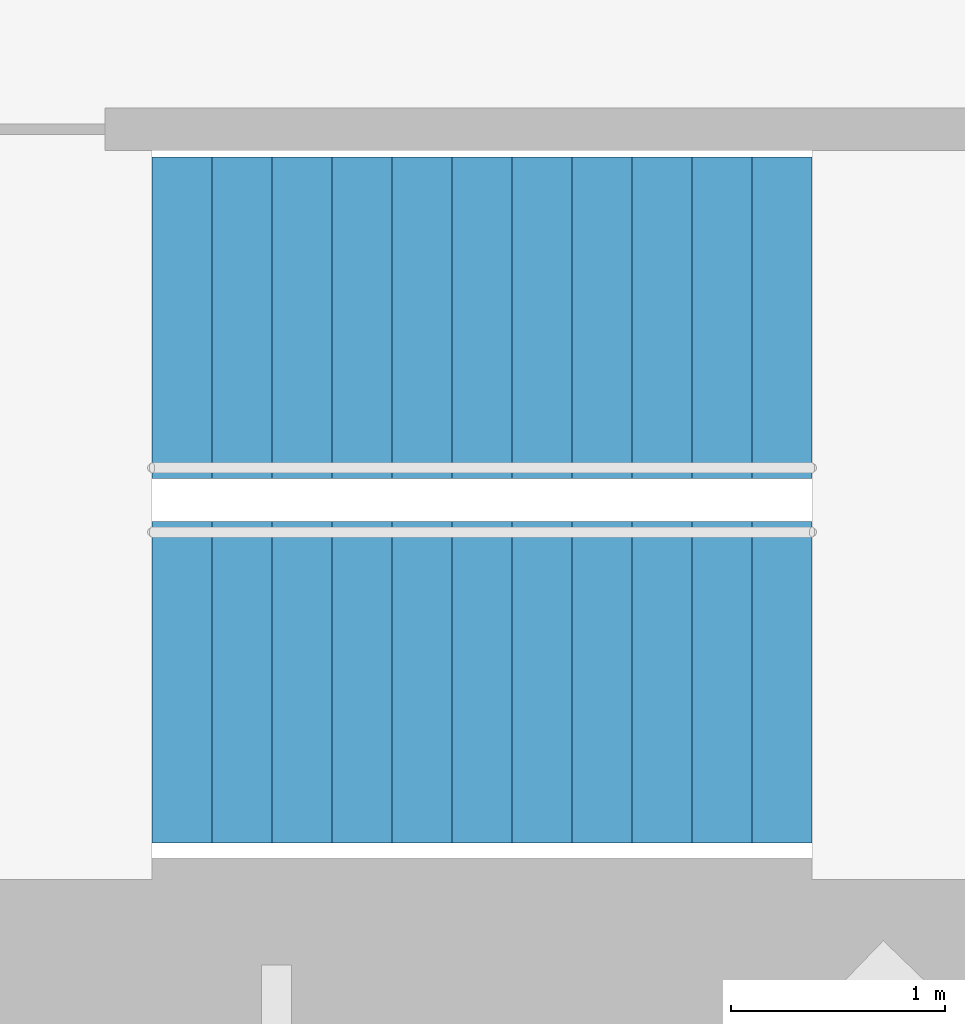
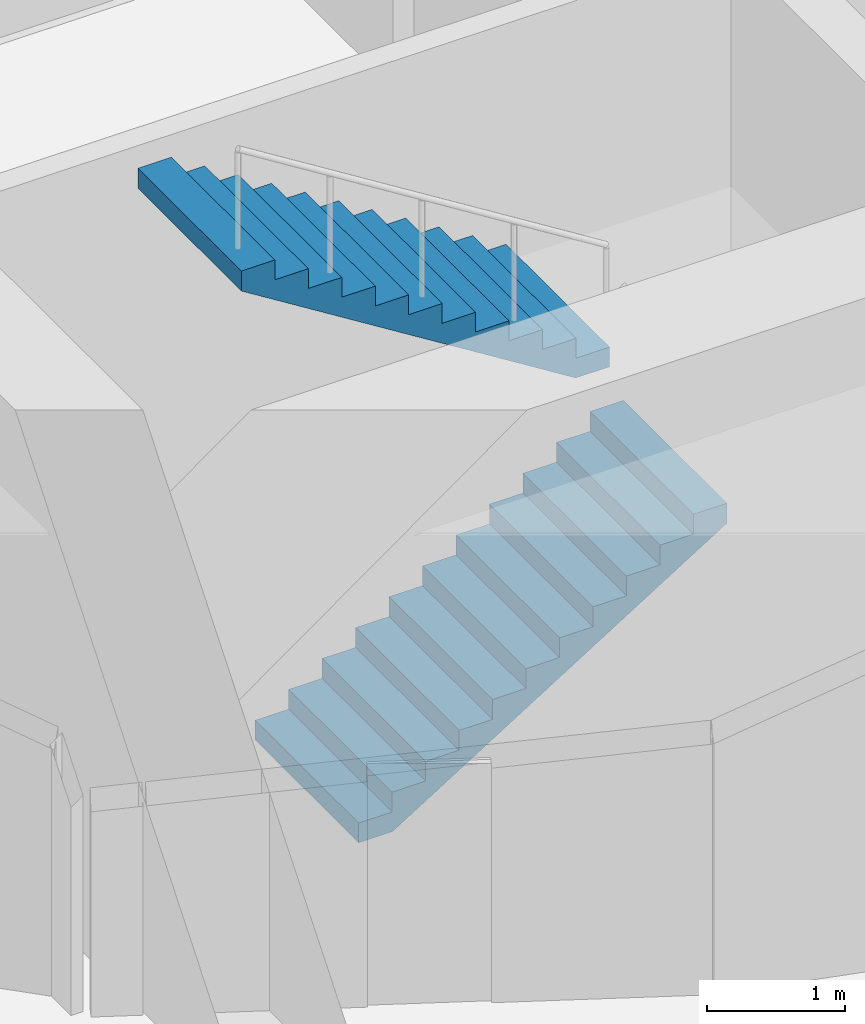
# One storey, part 17 of 19: 2 stair flights, 1 element without a shape of its own.
"""IFC4 building model written with IfcOpenShell, lengths in metres."""

from ifc_helpers import new_model, si_unit, direction, frame, origin, place, context, subcontext, project, spatial, triangles, material, type_object, element, aggregate, save


model = new_model("IFC4")

# Units and contexts
model_context = context("Model", 3, precision=1e-05, world=origin(), true_north=direction((0.0, 1.0)))
body_context = subcontext(model_context, "Body", "Model", "MODEL_VIEW")
ifc_project = project(units=[si_unit("LENGTHUNIT", "METRE"), si_unit("AREAUNIT", "SQUARE_METRE"), si_unit("VOLUMEUNIT", "CUBIC_METRE"), si_unit("PLANEANGLEUNIT", "RADIAN"), si_unit("MASSUNIT", "GRAM", prefix="KILO")], contexts=[model_context])

# Site, building, storey
site_placement = place(None, origin())
site = spatial("IfcSite", under=ifc_project, at=site_placement, CompositionType="ELEMENT")
building_placement = place(site_placement, origin())
building = spatial("IfcBuilding", under=site, at=building_placement, Name="Lantaw Convention Tower", CompositionType="ELEMENT")
storey_placement = place(building_placement, frame((0.0, 0.0, 249.39990234375)))
storey = spatial("IfcBuildingStorey", under=building, at=storey_placement, Name="L58", CompositionType="ELEMENT", Elevation=249.39990234375)

# Stair, stair flights
ifc_material = material(Name="Concrete C35/45", Category="concrete")
stair_type = type_object("IfcStairType", Name="Exit stair 1500 riser 175 in 2 flights", PredefinedType="HALF_TURN_STAIR", material=ifc_material)
stair_placement = place(storey_placement, origin())
stair = element("IfcStair", 1, at=stair_placement, inside=storey, type_object=stair_type, Name="Exit stair S1 L58", PredefinedType="HALF_TURN_STAIR")
stair_flight_type = type_object("IfcStairFlightType", Name="Stair flight 1500 riser 175", PredefinedType="STRAIGHT", material=ifc_material)
stair_flight_1_placement = place(storey_placement, frame((-10.580078125, -5.97998046875, 0.0), z_axis=(0.0, 0.0, 1.0), x_axis=(1.0, 0.0, 0.0)))
stair_flight_1 = element("IfcStairFlight", 2, at=stair_flight_1_placement, type_object=stair_flight_type, Name="S1 flight 1", NumberOfRisers=12, NumberOfTreads=11, PredefinedType="STRAIGHT", RiserHeight=0.175, TreadLength=0.28, context=body_context, shape_type="Tessellation", body=[
    triangles([(0.0, 0.75, 0.0), (0.0, 0.75, 0.175), (0.28, 0.75, 0.0), (0.28, 0.75, 0.175), (0.28, 0.75, 0.35), (0.28283517651771284, 0.75, 0.0), (0.28283517651771284, 0.75, 0.35), (0.56, 0.75, 0.17322801467642948), (0.56, 0.75, 0.35), (0.56, 0.75, 0.5249999999999999), (0.8400000000000001, 0.75, 0.34822801467642944), (0.8400000000000001, 0.75, 0.5249999999999999), (0.8400000000000001, 0.75, 0.7), (1.12, 0.75, 0.5232280146764294), (1.12, 0.75, 0.7), (1.12, 0.75, 0.875), (1.4000000000000001, 0.75, 0.6982280146764295), (1.4000000000000001, 0.75, 0.875), (1.4000000000000001, 0.75, 1.0499999999999998), (1.6800000000000002, 0.75, 0.8732280146764294), (1.6800000000000002, 0.75, 1.0499999999999998), (1.6800000000000002, 0.75, 1.2249999999999999), (1.9600000000000002, 0.75, 1.0482280146764293), (1.9600000000000002, 0.75, 1.2249999999999999), (1.9600000000000002, 0.75, 1.4), (2.24, 0.75, 1.2232280146764294), (2.24, 0.75, 1.4), (2.24, 0.75, 1.575), (2.5200000000000005, 0.75, 1.3982280146764294), (2.5200000000000005, 0.75, 1.575), (2.5200000000000005, 0.75, 1.75), (2.8000000000000003, 0.75, 1.5732280146764293), (2.8000000000000003, 0.75, 1.75), (2.8000000000000003, 0.75, 1.9249999999999998), (3.08, 0.75, 1.7482280146764293), (3.08, 0.75, 1.9249999999999998), (0.0, -0.75, 0.0), (0.0, -0.75, 0.175), (0.28, -0.75, 0.0), (0.28, -0.75, 0.175), (0.28, -0.75, 0.35), (0.28283517651771284, -0.75, 0.0), (0.28283517651771284, -0.75, 0.35), (0.56, -0.75, 0.17322801467642948), (0.56, -0.75, 0.35), (0.56, -0.75, 0.5249999999999999), (0.8400000000000001, -0.75, 0.34822801467642944), (0.8400000000000001, -0.75, 0.5249999999999999), (0.8400000000000001, -0.75, 0.7), (1.12, -0.75, 0.5232280146764294), (1.12, -0.75, 0.7), (1.12, -0.75, 0.875), (1.4000000000000001, -0.75, 0.6982280146764295), (1.4000000000000001, -0.75, 0.875), (1.4000000000000001, -0.75, 1.0499999999999998), (1.6800000000000002, -0.75, 0.8732280146764294), (1.6800000000000002, -0.75, 1.0499999999999998), (1.6800000000000002, -0.75, 1.2249999999999999), (1.9600000000000002, -0.75, 1.0482280146764293), (1.9600000000000002, -0.75, 1.2249999999999999), (1.9600000000000002, -0.75, 1.4), (2.24, -0.75, 1.2232280146764294), (2.24, -0.75, 1.4), (2.24, -0.75, 1.575), (2.5200000000000005, -0.75, 1.3982280146764294), (2.5200000000000005, -0.75, 1.575), (2.5200000000000005, -0.75, 1.75), (2.8000000000000003, -0.75, 1.5732280146764293), (2.8000000000000003, -0.75, 1.75), (2.8000000000000003, -0.75, 1.9249999999999998), (3.08, -0.75, 1.7482280146764293), (3.08, -0.75, 1.9249999999999998), (0.0, 0.15000000000000002, 0.175), (0.0, 0.15000000000000002, 0.0), (0.0, 0.0, 0.175), (0.0, 0.0, 0.0), (0.0, -0.15000000000000002, 0.175), (0.0, -0.15000000000000002, 0.0), (0.28, 0.15000000000000002, 0.35), (0.28, 0.15000000000000002, 0.175), (0.28, 0.0, 0.35), (0.28, 0.0, 0.175), (0.28, -0.15000000000000002, 0.35), (0.28, -0.15000000000000002, 0.175), (0.56, 0.15000000000000002, 0.5249999999999999), (0.56, 0.15000000000000002, 0.35), (0.56, 0.0, 0.5249999999999999), (0.56, 0.0, 0.35), (0.56, -0.15000000000000002, 0.5249999999999999), (0.56, -0.15000000000000002, 0.35), (0.8400000000000001, 0.15000000000000002, 0.7), (0.8400000000000001, 0.15000000000000002, 0.5249999999999999), (0.8400000000000001, 0.0, 0.7), (0.8400000000000001, 0.0, 0.5249999999999999), (0.8400000000000001, -0.15000000000000002, 0.7), (0.8400000000000001, -0.15000000000000002, 0.5249999999999999), (1.12, 0.15000000000000002, 0.875), (1.12, 0.15000000000000002, 0.7), (1.12, 0.0, 0.875), (1.12, 0.0, 0.7), (1.12, -0.15000000000000002, 0.875), (1.12, -0.15000000000000002, 0.7), (1.4000000000000001, 0.15000000000000002, 1.0499999999999998), (1.4000000000000001, 0.15000000000000002, 0.875), (1.4000000000000001, 0.0, 1.0499999999999998), (1.4000000000000001, 0.0, 0.875), (1.4000000000000001, -0.15000000000000002, 1.0499999999999998), (1.4000000000000001, -0.15000000000000002, 0.875), (1.6800000000000002, 0.15000000000000002, 1.2249999999999999), (1.6800000000000002, 0.15000000000000002, 1.0499999999999998), (1.6800000000000002, 0.0, 1.2249999999999999), (1.6800000000000002, 0.0, 1.0499999999999998), (1.6800000000000002, -0.15000000000000002, 1.2249999999999999), (1.6800000000000002, -0.15000000000000002, 1.0499999999999998), (1.9600000000000002, 0.15000000000000002, 1.4), (1.9600000000000002, 0.15000000000000002, 1.2249999999999999), (1.9600000000000002, 0.0, 1.4), (1.9600000000000002, 0.0, 1.2249999999999999), (1.9600000000000002, -0.15000000000000002, 1.4), (1.9600000000000002, -0.15000000000000002, 1.2249999999999999), (2.24, 0.15000000000000002, 1.575), (2.24, 0.15000000000000002, 1.4), (2.24, 0.0, 1.575), (2.24, 0.0, 1.4), (2.24, -0.15000000000000002, 1.575), (2.24, -0.15000000000000002, 1.4), (2.5200000000000005, 0.15000000000000002, 1.75), (2.5200000000000005, 0.15000000000000002, 1.575), (2.5200000000000005, 0.0, 1.75), (2.5200000000000005, 0.0, 1.575), (2.5200000000000005, -0.15000000000000002, 1.75), (2.5200000000000005, -0.15000000000000002, 1.575), (2.8000000000000003, 0.15000000000000002, 1.9249999999999998), (2.8000000000000003, 0.15000000000000002, 1.75), (2.8000000000000003, 0.0, 1.9249999999999998), (2.8000000000000003, 0.0, 1.75), (2.8000000000000003, -0.15000000000000002, 1.9249999999999998), (2.8000000000000003, -0.15000000000000002, 1.75), (0.28283517651771284, 0.15000000000000002, 0.35), (0.28283517651771284, 0.0, 0.35), (0.28283517651771284, -0.15000000000000002, 0.35), (3.08, 0.15000000000000002, 1.9249999999999998), (3.08, 0.0, 1.9249999999999998), (3.08, -0.15000000000000002, 1.9249999999999998), (3.08, 0.15000000000000002, 1.7482280146764293), (3.08, 0.0, 1.7482280146764293), (3.08, -0.15000000000000002, 1.7482280146764293), (2.8000000000000003, 0.15000000000000002, 1.5732280146764293), (2.8000000000000003, 0.0, 1.5732280146764293), (2.8000000000000003, -0.15000000000000002, 1.5732280146764293), (2.5200000000000005, 0.15000000000000002, 1.3982280146764294), (2.5200000000000005, 0.0, 1.3982280146764294), (2.5200000000000005, -0.15000000000000002, 1.3982280146764294), (2.24, 0.15000000000000002, 1.2232280146764294), (2.24, 0.0, 1.2232280146764294), (2.24, -0.15000000000000002, 1.2232280146764294), (1.9600000000000002, 0.15000000000000002, 1.0482280146764293), (1.9600000000000002, 0.0, 1.0482280146764293), (1.9600000000000002, -0.15000000000000002, 1.0482280146764293), (1.6800000000000002, 0.15000000000000002, 0.8732280146764294), (1.6800000000000002, 0.0, 0.8732280146764294), (1.6800000000000002, -0.15000000000000002, 0.8732280146764294), (1.4000000000000001, 0.15000000000000002, 0.6982280146764295), (1.4000000000000001, 0.0, 0.6982280146764295), (1.4000000000000001, -0.15000000000000002, 0.6982280146764295), (1.12, 0.15000000000000002, 0.5232280146764294), (1.12, 0.0, 0.5232280146764294), (1.12, -0.15000000000000002, 0.5232280146764294), (0.8400000000000001, 0.15000000000000002, 0.34822801467642944), (0.8400000000000001, 0.0, 0.34822801467642944), (0.8400000000000001, -0.15000000000000002, 0.34822801467642944), (0.56, 0.15000000000000002, 0.17322801467642948), (0.56, 0.0, 0.17322801467642948), (0.56, -0.15000000000000002, 0.17322801467642948), (0.28283517651771284, 0.15000000000000002, 0.0), (0.28283517651771284, 0.0, 0.0), (0.28283517651771284, -0.15000000000000002, 0.0), (0.28, 0.15000000000000002, 0.0), (0.28, 0.0, 0.0), (0.28, -0.15000000000000002, 0.0)], [[1, 4, 3], [1, 2, 4], [3, 4, 6], [4, 7, 6], [4, 5, 7], [6, 9, 8], [6, 7, 9], [8, 9, 11], [9, 12, 11], [9, 10, 12], [11, 12, 14], [12, 15, 14], [12, 13, 15], [14, 15, 17], [15, 18, 17], [15, 16, 18], [17, 18, 20], [18, 21, 20], [18, 19, 21], [20, 21, 23], [21, 24, 23], [21, 22, 24], [23, 24, 26], [24, 27, 26], [24, 25, 27], [26, 27, 29], [27, 30, 29], [27, 28, 30], [29, 30, 32], [30, 33, 32], [30, 31, 33], [32, 33, 35], [33, 36, 35], [33, 34, 36], [37, 39, 40], [37, 40, 38], [39, 42, 40], [40, 42, 43], [40, 43, 41], [42, 44, 45], [42, 45, 43], [44, 47, 45], [45, 47, 48], [45, 48, 46], [47, 50, 48], [48, 50, 51], [48, 51, 49], [50, 53, 51], [51, 53, 54], [51, 54, 52], [53, 56, 54], [54, 56, 57], [54, 57, 55], [56, 59, 57], [57, 59, 60], [57, 60, 58], [59, 62, 60], [60, 62, 63], [60, 63, 61], [62, 65, 63], [63, 65, 66], [63, 66, 64], [65, 68, 66], [66, 68, 69], [66, 69, 67], [68, 71, 69], [69, 71, 72], [69, 72, 70], [1, 73, 2], [1, 74, 73], [74, 75, 73], [74, 76, 75], [76, 77, 75], [76, 78, 77], [78, 38, 77], [78, 37, 38], [4, 79, 5], [4, 80, 79], [80, 81, 79], [80, 82, 81], [82, 83, 81], [82, 84, 83], [84, 41, 83], [84, 40, 41], [9, 85, 10], [9, 86, 85], [86, 87, 85], [86, 88, 87], [88, 89, 87], [88, 90, 89], [90, 46, 89], [90, 45, 46], [12, 91, 13], [12, 92, 91], [92, 93, 91], [92, 94, 93], [94, 95, 93], [94, 96, 95], [96, 49, 95], [96, 48, 49], [15, 97, 16], [15, 98, 97], [98, 99, 97], [98, 100, 99], [100, 101, 99], [100, 102, 101], [102, 52, 101], [102, 51, 52], [18, 103, 19], [18, 104, 103], [104, 105, 103], [104, 106, 105], [106, 107, 105], [106, 108, 107], [108, 55, 107], [108, 54, 55], [21, 109, 22], [21, 110, 109], [110, 111, 109], [110, 112, 111], [112, 113, 111], [112, 114, 113], [114, 58, 113], [114, 57, 58], [24, 115, 25], [24, 116, 115], [116, 117, 115], [116, 118, 117], [118, 119, 117], [118, 120, 119], [120, 61, 119], [120, 60, 61], [27, 121, 28], [27, 122, 121], [122, 123, 121], [122, 124, 123], [124, 125, 123], [124, 126, 125], [126, 64, 125], [126, 63, 64], [30, 127, 31], [30, 128, 127], [128, 129, 127], [128, 130, 129], [130, 131, 129], [130, 132, 131], [132, 67, 131], [132, 66, 67], [33, 133, 34], [33, 134, 133], [134, 135, 133], [134, 136, 135], [136, 137, 135], [136, 138, 137], [138, 70, 137], [138, 69, 70], [2, 80, 4], [2, 73, 80], [73, 82, 80], [73, 75, 82], [75, 84, 82], [75, 77, 84], [77, 40, 84], [77, 38, 40], [5, 139, 7], [5, 79, 139], [79, 140, 139], [79, 81, 140], [81, 141, 140], [81, 83, 141], [83, 43, 141], [83, 41, 43], [7, 86, 9], [7, 139, 86], [139, 88, 86], [139, 140, 88], [140, 90, 88], [140, 141, 90], [141, 45, 90], [141, 43, 45], [10, 92, 12], [10, 85, 92], [85, 94, 92], [85, 87, 94], [87, 96, 94], [87, 89, 96], [89, 48, 96], [89, 46, 48], [13, 98, 15], [13, 91, 98], [91, 100, 98], [91, 93, 100], [93, 102, 100], [93, 95, 102], [95, 51, 102], [95, 49, 51], [16, 104, 18], [16, 97, 104], [97, 106, 104], [97, 99, 106], [99, 108, 106], [99, 101, 108], [101, 54, 108], [101, 52, 54], [19, 110, 21], [19, 103, 110], [103, 112, 110], [103, 105, 112], [105, 114, 112], [105, 107, 114], [107, 57, 114], [107, 55, 57], [22, 116, 24], [22, 109, 116], [109, 118, 116], [109, 111, 118], [111, 120, 118], [111, 113, 120], [113, 60, 120], [113, 58, 60], [25, 122, 27], [25, 115, 122], [115, 124, 122], [115, 117, 124], [117, 126, 124], [117, 119, 126], [119, 63, 126], [119, 61, 63], [28, 128, 30], [28, 121, 128], [121, 130, 128], [121, 123, 130], [123, 132, 130], [123, 125, 132], [125, 66, 132], [125, 64, 66], [31, 134, 33], [31, 127, 134], [127, 136, 134], [127, 129, 136], [129, 138, 136], [129, 131, 138], [131, 69, 138], [131, 67, 69], [34, 142, 36], [34, 133, 142], [133, 143, 142], [133, 135, 143], [135, 144, 143], [135, 137, 144], [137, 72, 144], [137, 70, 72], [36, 145, 35], [36, 142, 145], [142, 146, 145], [142, 143, 146], [143, 147, 146], [143, 144, 147], [144, 71, 147], [144, 72, 71], [35, 148, 32], [35, 145, 148], [145, 149, 148], [145, 146, 149], [146, 150, 149], [146, 147, 150], [147, 68, 150], [147, 71, 68], [32, 151, 29], [32, 148, 151], [148, 152, 151], [148, 149, 152], [149, 153, 152], [149, 150, 153], [150, 65, 153], [150, 68, 65], [29, 154, 26], [29, 151, 154], [151, 155, 154], [151, 152, 155], [152, 156, 155], [152, 153, 156], [153, 62, 156], [153, 65, 62], [26, 157, 23], [26, 154, 157], [154, 158, 157], [154, 155, 158], [155, 159, 158], [155, 156, 159], [156, 59, 159], [156, 62, 59], [23, 160, 20], [23, 157, 160], [157, 161, 160], [157, 158, 161], [158, 162, 161], [158, 159, 162], [159, 56, 162], [159, 59, 56], [20, 163, 17], [20, 160, 163], [160, 164, 163], [160, 161, 164], [161, 165, 164], [161, 162, 165], [162, 53, 165], [162, 56, 53], [17, 166, 14], [17, 163, 166], [163, 167, 166], [163, 164, 167], [164, 168, 167], [164, 165, 168], [165, 50, 168], [165, 53, 50], [14, 169, 11], [14, 166, 169], [166, 170, 169], [166, 167, 170], [167, 171, 170], [167, 168, 171], [168, 47, 171], [168, 50, 47], [11, 172, 8], [11, 169, 172], [169, 173, 172], [169, 170, 173], [170, 174, 173], [170, 171, 174], [171, 44, 174], [171, 47, 44], [8, 175, 6], [8, 172, 175], [172, 176, 175], [172, 173, 176], [173, 177, 176], [173, 174, 177], [174, 42, 177], [174, 44, 42], [6, 178, 3], [6, 175, 178], [175, 179, 178], [175, 176, 179], [176, 180, 179], [176, 177, 180], [177, 39, 180], [177, 42, 39], [3, 74, 1], [3, 178, 74], [178, 76, 74], [178, 179, 76], [179, 78, 76], [179, 180, 78], [180, 37, 78], [180, 39, 37]], closed=True),
])
stair_flight_2_placement = place(storey_placement, frame((-7.5, -4.280029296875, 2.10009765625), z_axis=(0.0, 0.0, 1.0), x_axis=(-1.0, 0.0, 0.0)))
stair_flight_2 = element("IfcStairFlight", 3, at=stair_flight_2_placement, type_object=stair_flight_type, Name="S1 flight 2", NumberOfRisers=12, NumberOfTreads=11, PredefinedType="STRAIGHT", RiserHeight=0.175, TreadLength=0.28, context=body_context, shape_type="Tessellation", body=[
    triangles([(0.0, 0.75, 0.0), (0.0, 0.75, 0.175), (0.28, 0.75, 0.0), (0.28, 0.75, 0.175), (0.28, 0.75, 0.35), (0.28283517651771284, 0.75, 0.0), (0.28283517651771284, 0.75, 0.35), (0.56, 0.75, 0.17322801467642948), (0.56, 0.75, 0.35), (0.56, 0.75, 0.5249999999999999), (0.8400000000000001, 0.75, 0.34822801467642944), (0.8400000000000001, 0.75, 0.5249999999999999), (0.8400000000000001, 0.75, 0.7), (1.12, 0.75, 0.5232280146764294), (1.12, 0.75, 0.7), (1.12, 0.75, 0.875), (1.4000000000000001, 0.75, 0.6982280146764295), (1.4000000000000001, 0.75, 0.875), (1.4000000000000001, 0.75, 1.0499999999999998), (1.6800000000000002, 0.75, 0.8732280146764294), (1.6800000000000002, 0.75, 1.0499999999999998), (1.6800000000000002, 0.75, 1.2249999999999999), (1.9600000000000002, 0.75, 1.0482280146764293), (1.9600000000000002, 0.75, 1.2249999999999999), (1.9600000000000002, 0.75, 1.4), (2.24, 0.75, 1.2232280146764294), (2.24, 0.75, 1.4), (2.24, 0.75, 1.575), (2.5200000000000005, 0.75, 1.3982280146764294), (2.5200000000000005, 0.75, 1.575), (2.5200000000000005, 0.75, 1.75), (2.8000000000000003, 0.75, 1.5732280146764293), (2.8000000000000003, 0.75, 1.75), (2.8000000000000003, 0.75, 1.9249999999999998), (3.08, 0.75, 1.7482280146764293), (3.08, 0.75, 1.9249999999999998), (0.0, -0.75, 0.0), (0.0, -0.75, 0.175), (0.28, -0.75, 0.0), (0.28, -0.75, 0.175), (0.28, -0.75, 0.35), (0.28283517651771284, -0.75, 0.0), (0.28283517651771284, -0.75, 0.35), (0.56, -0.75, 0.17322801467642948), (0.56, -0.75, 0.35), (0.56, -0.75, 0.5249999999999999), (0.8400000000000001, -0.75, 0.34822801467642944), (0.8400000000000001, -0.75, 0.5249999999999999), (0.8400000000000001, -0.75, 0.7), (1.12, -0.75, 0.5232280146764294), (1.12, -0.75, 0.7), (1.12, -0.75, 0.875), (1.4000000000000001, -0.75, 0.6982280146764295), (1.4000000000000001, -0.75, 0.875), (1.4000000000000001, -0.75, 1.0499999999999998), (1.6800000000000002, -0.75, 0.8732280146764294), (1.6800000000000002, -0.75, 1.0499999999999998), (1.6800000000000002, -0.75, 1.2249999999999999), (1.9600000000000002, -0.75, 1.0482280146764293), (1.9600000000000002, -0.75, 1.2249999999999999), (1.9600000000000002, -0.75, 1.4), (2.24, -0.75, 1.2232280146764294), (2.24, -0.75, 1.4), (2.24, -0.75, 1.575), (2.5200000000000005, -0.75, 1.3982280146764294), (2.5200000000000005, -0.75, 1.575), (2.5200000000000005, -0.75, 1.75), (2.8000000000000003, -0.75, 1.5732280146764293), (2.8000000000000003, -0.75, 1.75), (2.8000000000000003, -0.75, 1.9249999999999998), (3.08, -0.75, 1.7482280146764293), (3.08, -0.75, 1.9249999999999998), (0.0, 0.15000000000000002, 0.175), (0.0, 0.15000000000000002, 0.0), (0.0, 0.0, 0.175), (0.0, 0.0, 0.0), (0.0, -0.15000000000000002, 0.175), (0.0, -0.15000000000000002, 0.0), (0.28, 0.15000000000000002, 0.35), (0.28, 0.15000000000000002, 0.175), (0.28, 0.0, 0.35), (0.28, 0.0, 0.175), (0.28, -0.15000000000000002, 0.35), (0.28, -0.15000000000000002, 0.175), (0.56, 0.15000000000000002, 0.5249999999999999), (0.56, 0.15000000000000002, 0.35), (0.56, 0.0, 0.5249999999999999), (0.56, 0.0, 0.35), (0.56, -0.15000000000000002, 0.5249999999999999), (0.56, -0.15000000000000002, 0.35), (0.8400000000000001, 0.15000000000000002, 0.7), (0.8400000000000001, 0.15000000000000002, 0.5249999999999999), (0.8400000000000001, 0.0, 0.7), (0.8400000000000001, 0.0, 0.5249999999999999), (0.8400000000000001, -0.15000000000000002, 0.7), (0.8400000000000001, -0.15000000000000002, 0.5249999999999999), (1.12, 0.15000000000000002, 0.875), (1.12, 0.15000000000000002, 0.7), (1.12, 0.0, 0.875), (1.12, 0.0, 0.7), (1.12, -0.15000000000000002, 0.875), (1.12, -0.15000000000000002, 0.7), (1.4000000000000001, 0.15000000000000002, 1.0499999999999998), (1.4000000000000001, 0.15000000000000002, 0.875), (1.4000000000000001, 0.0, 1.0499999999999998), (1.4000000000000001, 0.0, 0.875), (1.4000000000000001, -0.15000000000000002, 1.0499999999999998), (1.4000000000000001, -0.15000000000000002, 0.875), (1.6800000000000002, 0.15000000000000002, 1.2249999999999999), (1.6800000000000002, 0.15000000000000002, 1.0499999999999998), (1.6800000000000002, 0.0, 1.2249999999999999), (1.6800000000000002, 0.0, 1.0499999999999998), (1.6800000000000002, -0.15000000000000002, 1.2249999999999999), (1.6800000000000002, -0.15000000000000002, 1.0499999999999998), (1.9600000000000002, 0.15000000000000002, 1.4), (1.9600000000000002, 0.15000000000000002, 1.2249999999999999), (1.9600000000000002, 0.0, 1.4), (1.9600000000000002, 0.0, 1.2249999999999999), (1.9600000000000002, -0.15000000000000002, 1.4), (1.9600000000000002, -0.15000000000000002, 1.2249999999999999), (2.24, 0.15000000000000002, 1.575), (2.24, 0.15000000000000002, 1.4), (2.24, 0.0, 1.575), (2.24, 0.0, 1.4), (2.24, -0.15000000000000002, 1.575), (2.24, -0.15000000000000002, 1.4), (2.5200000000000005, 0.15000000000000002, 1.75), (2.5200000000000005, 0.15000000000000002, 1.575), (2.5200000000000005, 0.0, 1.75), (2.5200000000000005, 0.0, 1.575), (2.5200000000000005, -0.15000000000000002, 1.75), (2.5200000000000005, -0.15000000000000002, 1.575), (2.8000000000000003, 0.15000000000000002, 1.9249999999999998), (2.8000000000000003, 0.15000000000000002, 1.75), (2.8000000000000003, 0.0, 1.9249999999999998), (2.8000000000000003, 0.0, 1.75), (2.8000000000000003, -0.15000000000000002, 1.9249999999999998), (2.8000000000000003, -0.15000000000000002, 1.75), (0.28283517651771284, 0.15000000000000002, 0.35), (0.28283517651771284, 0.0, 0.35), (0.28283517651771284, -0.15000000000000002, 0.35), (3.08, 0.15000000000000002, 1.9249999999999998), (3.08, 0.0, 1.9249999999999998), (3.08, -0.15000000000000002, 1.9249999999999998), (3.08, 0.15000000000000002, 1.7482280146764293), (3.08, 0.0, 1.7482280146764293), (3.08, -0.15000000000000002, 1.7482280146764293), (2.8000000000000003, 0.15000000000000002, 1.5732280146764293), (2.8000000000000003, 0.0, 1.5732280146764293), (2.8000000000000003, -0.15000000000000002, 1.5732280146764293), (2.5200000000000005, 0.15000000000000002, 1.3982280146764294), (2.5200000000000005, 0.0, 1.3982280146764294), (2.5200000000000005, -0.15000000000000002, 1.3982280146764294), (2.24, 0.15000000000000002, 1.2232280146764294), (2.24, 0.0, 1.2232280146764294), (2.24, -0.15000000000000002, 1.2232280146764294), (1.9600000000000002, 0.15000000000000002, 1.0482280146764293), (1.9600000000000002, 0.0, 1.0482280146764293), (1.9600000000000002, -0.15000000000000002, 1.0482280146764293), (1.6800000000000002, 0.15000000000000002, 0.8732280146764294), (1.6800000000000002, 0.0, 0.8732280146764294), (1.6800000000000002, -0.15000000000000002, 0.8732280146764294), (1.4000000000000001, 0.15000000000000002, 0.6982280146764295), (1.4000000000000001, 0.0, 0.6982280146764295), (1.4000000000000001, -0.15000000000000002, 0.6982280146764295), (1.12, 0.15000000000000002, 0.5232280146764294), (1.12, 0.0, 0.5232280146764294), (1.12, -0.15000000000000002, 0.5232280146764294), (0.8400000000000001, 0.15000000000000002, 0.34822801467642944), (0.8400000000000001, 0.0, 0.34822801467642944), (0.8400000000000001, -0.15000000000000002, 0.34822801467642944), (0.56, 0.15000000000000002, 0.17322801467642948), (0.56, 0.0, 0.17322801467642948), (0.56, -0.15000000000000002, 0.17322801467642948), (0.28283517651771284, 0.15000000000000002, 0.0), (0.28283517651771284, 0.0, 0.0), (0.28283517651771284, -0.15000000000000002, 0.0), (0.28, 0.15000000000000002, 0.0), (0.28, 0.0, 0.0), (0.28, -0.15000000000000002, 0.0)], [[1, 4, 3], [1, 2, 4], [3, 4, 6], [4, 7, 6], [4, 5, 7], [6, 9, 8], [6, 7, 9], [8, 9, 11], [9, 12, 11], [9, 10, 12], [11, 12, 14], [12, 15, 14], [12, 13, 15], [14, 15, 17], [15, 18, 17], [15, 16, 18], [17, 18, 20], [18, 21, 20], [18, 19, 21], [20, 21, 23], [21, 24, 23], [21, 22, 24], [23, 24, 26], [24, 27, 26], [24, 25, 27], [26, 27, 29], [27, 30, 29], [27, 28, 30], [29, 30, 32], [30, 33, 32], [30, 31, 33], [32, 33, 35], [33, 36, 35], [33, 34, 36], [37, 39, 40], [37, 40, 38], [39, 42, 40], [40, 42, 43], [40, 43, 41], [42, 44, 45], [42, 45, 43], [44, 47, 45], [45, 47, 48], [45, 48, 46], [47, 50, 48], [48, 50, 51], [48, 51, 49], [50, 53, 51], [51, 53, 54], [51, 54, 52], [53, 56, 54], [54, 56, 57], [54, 57, 55], [56, 59, 57], [57, 59, 60], [57, 60, 58], [59, 62, 60], [60, 62, 63], [60, 63, 61], [62, 65, 63], [63, 65, 66], [63, 66, 64], [65, 68, 66], [66, 68, 69], [66, 69, 67], [68, 71, 69], [69, 71, 72], [69, 72, 70], [1, 73, 2], [1, 74, 73], [74, 75, 73], [74, 76, 75], [76, 77, 75], [76, 78, 77], [78, 38, 77], [78, 37, 38], [4, 79, 5], [4, 80, 79], [80, 81, 79], [80, 82, 81], [82, 83, 81], [82, 84, 83], [84, 41, 83], [84, 40, 41], [9, 85, 10], [9, 86, 85], [86, 87, 85], [86, 88, 87], [88, 89, 87], [88, 90, 89], [90, 46, 89], [90, 45, 46], [12, 91, 13], [12, 92, 91], [92, 93, 91], [92, 94, 93], [94, 95, 93], [94, 96, 95], [96, 49, 95], [96, 48, 49], [15, 97, 16], [15, 98, 97], [98, 99, 97], [98, 100, 99], [100, 101, 99], [100, 102, 101], [102, 52, 101], [102, 51, 52], [18, 103, 19], [18, 104, 103], [104, 105, 103], [104, 106, 105], [106, 107, 105], [106, 108, 107], [108, 55, 107], [108, 54, 55], [21, 109, 22], [21, 110, 109], [110, 111, 109], [110, 112, 111], [112, 113, 111], [112, 114, 113], [114, 58, 113], [114, 57, 58], [24, 115, 25], [24, 116, 115], [116, 117, 115], [116, 118, 117], [118, 119, 117], [118, 120, 119], [120, 61, 119], [120, 60, 61], [27, 121, 28], [27, 122, 121], [122, 123, 121], [122, 124, 123], [124, 125, 123], [124, 126, 125], [126, 64, 125], [126, 63, 64], [30, 127, 31], [30, 128, 127], [128, 129, 127], [128, 130, 129], [130, 131, 129], [130, 132, 131], [132, 67, 131], [132, 66, 67], [33, 133, 34], [33, 134, 133], [134, 135, 133], [134, 136, 135], [136, 137, 135], [136, 138, 137], [138, 70, 137], [138, 69, 70], [2, 80, 4], [2, 73, 80], [73, 82, 80], [73, 75, 82], [75, 84, 82], [75, 77, 84], [77, 40, 84], [77, 38, 40], [5, 139, 7], [5, 79, 139], [79, 140, 139], [79, 81, 140], [81, 141, 140], [81, 83, 141], [83, 43, 141], [83, 41, 43], [7, 86, 9], [7, 139, 86], [139, 88, 86], [139, 140, 88], [140, 90, 88], [140, 141, 90], [141, 45, 90], [141, 43, 45], [10, 92, 12], [10, 85, 92], [85, 94, 92], [85, 87, 94], [87, 96, 94], [87, 89, 96], [89, 48, 96], [89, 46, 48], [13, 98, 15], [13, 91, 98], [91, 100, 98], [91, 93, 100], [93, 102, 100], [93, 95, 102], [95, 51, 102], [95, 49, 51], [16, 104, 18], [16, 97, 104], [97, 106, 104], [97, 99, 106], [99, 108, 106], [99, 101, 108], [101, 54, 108], [101, 52, 54], [19, 110, 21], [19, 103, 110], [103, 112, 110], [103, 105, 112], [105, 114, 112], [105, 107, 114], [107, 57, 114], [107, 55, 57], [22, 116, 24], [22, 109, 116], [109, 118, 116], [109, 111, 118], [111, 120, 118], [111, 113, 120], [113, 60, 120], [113, 58, 60], [25, 122, 27], [25, 115, 122], [115, 124, 122], [115, 117, 124], [117, 126, 124], [117, 119, 126], [119, 63, 126], [119, 61, 63], [28, 128, 30], [28, 121, 128], [121, 130, 128], [121, 123, 130], [123, 132, 130], [123, 125, 132], [125, 66, 132], [125, 64, 66], [31, 134, 33], [31, 127, 134], [127, 136, 134], [127, 129, 136], [129, 138, 136], [129, 131, 138], [131, 69, 138], [131, 67, 69], [34, 142, 36], [34, 133, 142], [133, 143, 142], [133, 135, 143], [135, 144, 143], [135, 137, 144], [137, 72, 144], [137, 70, 72], [36, 145, 35], [36, 142, 145], [142, 146, 145], [142, 143, 146], [143, 147, 146], [143, 144, 147], [144, 71, 147], [144, 72, 71], [35, 148, 32], [35, 145, 148], [145, 149, 148], [145, 146, 149], [146, 150, 149], [146, 147, 150], [147, 68, 150], [147, 71, 68], [32, 151, 29], [32, 148, 151], [148, 152, 151], [148, 149, 152], [149, 153, 152], [149, 150, 153], [150, 65, 153], [150, 68, 65], [29, 154, 26], [29, 151, 154], [151, 155, 154], [151, 152, 155], [152, 156, 155], [152, 153, 156], [153, 62, 156], [153, 65, 62], [26, 157, 23], [26, 154, 157], [154, 158, 157], [154, 155, 158], [155, 159, 158], [155, 156, 159], [156, 59, 159], [156, 62, 59], [23, 160, 20], [23, 157, 160], [157, 161, 160], [157, 158, 161], [158, 162, 161], [158, 159, 162], [159, 56, 162], [159, 59, 56], [20, 163, 17], [20, 160, 163], [160, 164, 163], [160, 161, 164], [161, 165, 164], [161, 162, 165], [162, 53, 165], [162, 56, 53], [17, 166, 14], [17, 163, 166], [163, 167, 166], [163, 164, 167], [164, 168, 167], [164, 165, 168], [165, 50, 168], [165, 53, 50], [14, 169, 11], [14, 166, 169], [166, 170, 169], [166, 167, 170], [167, 171, 170], [167, 168, 171], [168, 47, 171], [168, 50, 47], [11, 172, 8], [11, 169, 172], [169, 173, 172], [169, 170, 173], [170, 174, 173], [170, 171, 174], [171, 44, 174], [171, 47, 44], [8, 175, 6], [8, 172, 175], [172, 176, 175], [172, 173, 176], [173, 177, 176], [173, 174, 177], [174, 42, 177], [174, 44, 42], [6, 178, 3], [6, 175, 178], [175, 179, 178], [175, 176, 179], [176, 180, 179], [176, 177, 180], [177, 39, 180], [177, 42, 39], [3, 74, 1], [3, 178, 74], [178, 76, 74], [178, 179, 76], [179, 78, 76], [179, 180, 78], [180, 37, 78], [180, 39, 37]], closed=True),
])
aggregate(stair, [stair_flight_1, stair_flight_2])

save(model, "model.ifc")
